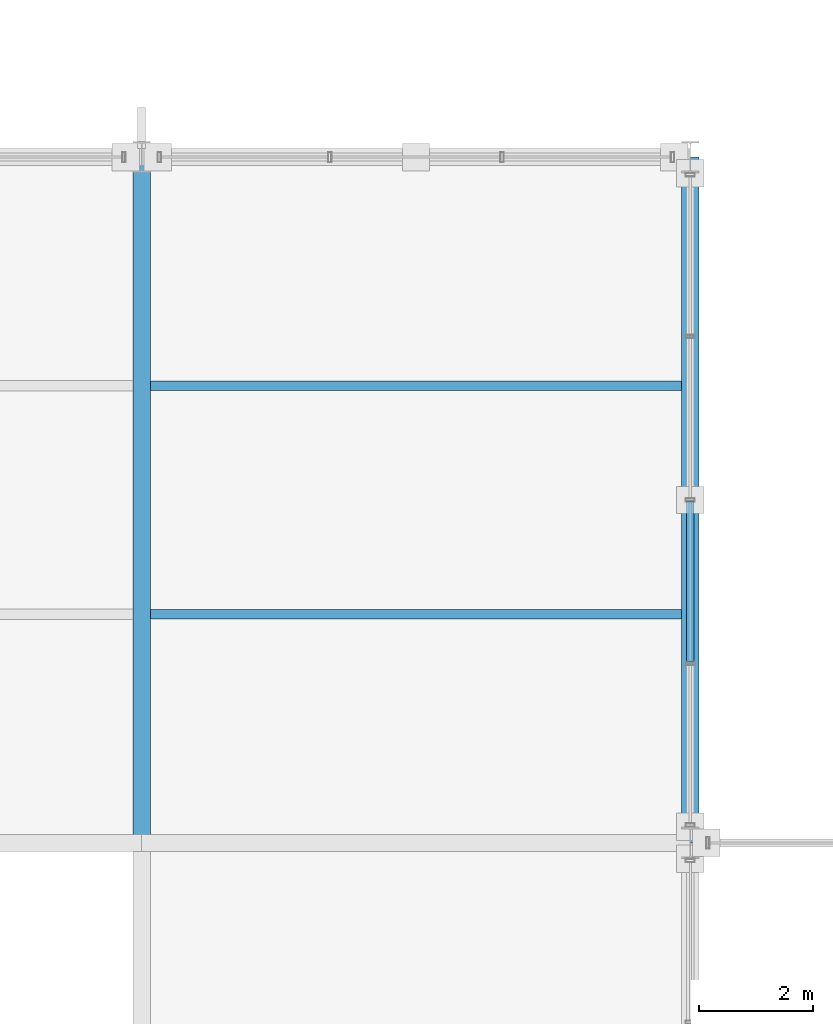
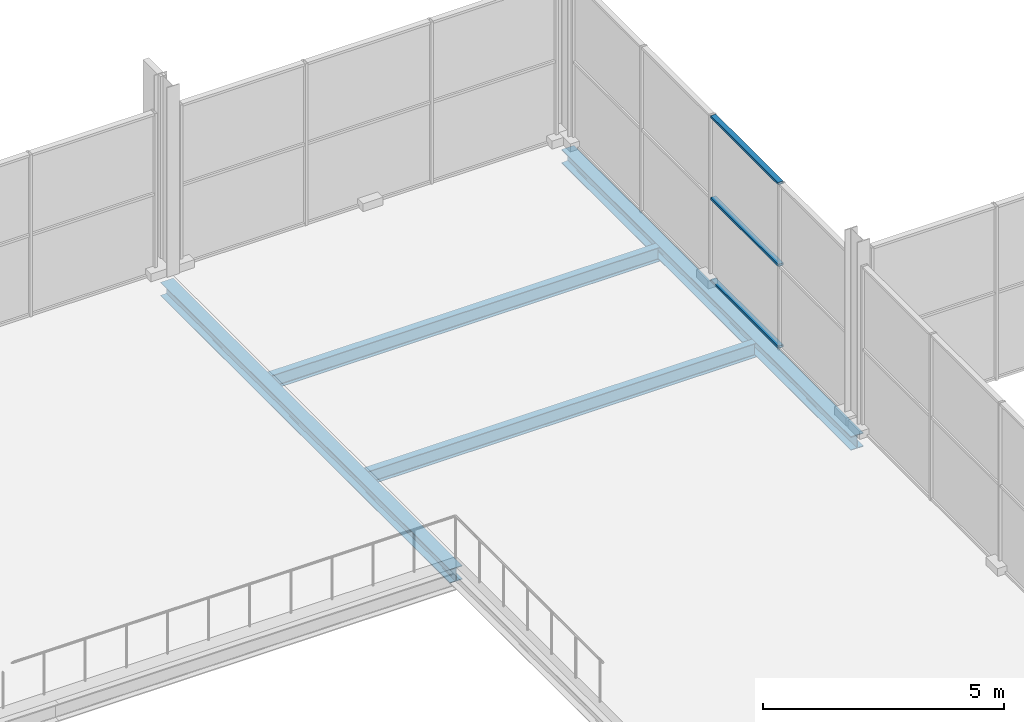
# One storey, part 85 of 159: 4 beams, 3 members, 1 element without a shape of its own.
"""IFC4 building model written with IfcOpenShell, lengths in metres."""

from ifc_helpers import new_model, si_unit, direction, frame, origin, origin_2d, place, context, subcontext, project, spatial, hollow_rectangle, i_section, extrude, material, material_profile, profile_set, type_object, element, aggregate, save


model = new_model("IFC4")

# Units and contexts
model_context = context("Model", 3, precision=1e-05, world=origin(), true_north=direction((0.0, 1.0)))
body_context = subcontext(model_context, "Body", "Model", "MODEL_VIEW")
ifc_project = project(units=[si_unit("LENGTHUNIT", "METRE"), si_unit("AREAUNIT", "SQUARE_METRE"), si_unit("VOLUMEUNIT", "CUBIC_METRE"), si_unit("PLANEANGLEUNIT", "RADIAN"), si_unit("MASSUNIT", "GRAM", prefix="KILO")], contexts=[model_context])

# Site, building, storey
site_placement = place(None, origin())
site = spatial("IfcSite", under=ifc_project, at=site_placement, CompositionType="ELEMENT")
building_placement = place(site_placement, origin())
building = spatial("IfcBuilding", under=site, at=building_placement, Name="Merenkruunu Market Hall", CompositionType="ELEMENT")
storey_placement = place(building_placement, frame((0.0, 0.0, 5.39990234375)))
storey = spatial("IfcBuildingStorey", under=building, at=storey_placement, Name="L01", CompositionType="ELEMENT", Elevation=5.39990234375)

# Curtain wall, members
ifc_material_1 = material(Name="Powder-coated aluminium", Category="aluminium")
curtain_wall_type = type_object("IfcCurtainWallType", Name="Glazed Curtain Wall CW05", PredefinedType="USERDEFINED", material=ifc_material_1)
curtain_wall_placement = place(storey_placement, origin())
curtain_wall = element("IfcCurtainWall", 1, at=curtain_wall_placement, inside=storey, type_object=curtain_wall_type, Name="CW-L01-CWM01-137", ObjectType="GLAZED_FACADE", PredefinedType="USERDEFINED")
ifc_material_profile_1 = material_profile(ifc_material_1, hollow_rectangle(XDim=0.06005859375, YDim=0.125, WallThickness=0.00390625, at=origin_2d()), Name="ALU 60x125x4")
ifc_profile_set_1 = profile_set([ifc_material_profile_1], Name="Powder-coated aluminium")
member_type = type_object("IfcMemberType", Name="Curtain Wall Transom CWT01", PredefinedType="USERDEFINED", material=ifc_profile_set_1)
member_1_placement = place(storey_placement, frame((57.60009765625, 105.570068359375, 0.030029296875), z_axis=(0.0, -1.0, 0.0), x_axis=(0.0, 0.0, 1.0)))
member_1 = element("IfcMember", 2, at=member_1_placement, type_object=member_type, Name="CW05 transom 3.1", ObjectType="TRANSOM", PredefinedType="USERDEFINED", context=body_context, shape_type="SweptSolid", body=[
    extrude(hollow_rectangle(XDim=0.06005859375, YDim=0.125, WallThickness=0.00390625, at=origin_2d()), origin(), (0.0, 0.0, 1.0), 2.800048828125),
])
member_2_placement = place(storey_placement, frame((57.60009765625, 105.570068359375, 2.10009765625), z_axis=(0.0, -1.0, 0.0), x_axis=(0.0, 0.0, 1.0)))
member_2 = element("IfcMember", 3, at=member_2_placement, type_object=member_type, Name="CW05 transom 3.2", ObjectType="TRANSOM", PredefinedType="USERDEFINED", context=body_context, shape_type="SweptSolid", body=[
    extrude(hollow_rectangle(XDim=0.06005859375, YDim=0.125, WallThickness=0.00390625, at=origin_2d()), origin(), (0.0, 0.0, 1.0), 2.800048828125),
])
member_3_placement = place(storey_placement, frame((57.60009765625, 105.570068359375, 4.170166015625), z_axis=(0.0, -1.0, 0.0), x_axis=(0.0, 0.0, 1.0)))
member_3 = element("IfcMember", 4, at=member_3_placement, type_object=member_type, Name="CW05 transom 3.3", ObjectType="TRANSOM", PredefinedType="USERDEFINED", context=body_context, shape_type="SweptSolid", body=[
    extrude(hollow_rectangle(XDim=0.06005859375, YDim=0.125, WallThickness=0.00390625, at=origin_2d()), origin(), (0.0, 0.0, 1.0), 2.800048828125),
])
aggregate(curtain_wall, [member_1, member_2, member_3])

# Beams
ifc_material_2 = material(Name="Steel S355J2", Category="steel")
ifc_material_profile_2 = material_profile(ifc_material_2, i_section(OverallWidth=0.300048828125, OverallDepth=0.35009765625, WebThickness=0.010009765625, FlangeThickness=0.017578125, FilletRadius=0.027099609375, at=origin_2d()), Name="HEA 360")
ifc_profile_set_2 = profile_set([ifc_material_profile_2], Name="Steel S355J2")
beam_type_1 = type_object("IfcBeamType", Name="Primary Floor Girder B08", PredefinedType="BEAM", material=ifc_profile_set_2)
for number, where, z_axis, x_axis, name in (
    (5, (48.0, 99.60009765625, -0.454833984375), (0.0, 1.0, 0.0), (-1.0, 0.0, 0.0), "BM-L01-B08-0579"),
    (6, (57.60009765625, 99.60009765625, -0.454833984375), (0.0, 1.0, 0.0), (-1.0, 0.0, 0.0), "BM-L01-B08-0588"),
):
    element("IfcBeam", number, at=place(storey_placement, frame(where, z_axis=z_axis, x_axis=x_axis)), inside=storey, type_object=beam_type_1, Name=name, PredefinedType="BEAM", context=body_context, shape_type="SweptSolid", body=[
        extrude(i_section(OverallWidth=0.300048828125, OverallDepth=0.35009765625, WebThickness=0.010009765625, FlangeThickness=0.017578125, FilletRadius=0.027099609375, at=origin_2d()), origin(), (0.0, 0.0, 1.0), 12.0),
    ])
ifc_material_profile_3 = material_profile(ifc_material_2, i_section(OverallWidth=0.169921875, OverallDepth=0.360107421875, WebThickness=0.008056640625, FlangeThickness=0.0126953125, FilletRadius=0.01806640625, at=origin_2d()), Name="IPE 360")
ifc_profile_set_3 = profile_set([ifc_material_profile_3], Name="Steel S355J2")
beam_type_2 = type_object("IfcBeamType", Name="Secondary Floor Joist J03", PredefinedType="JOIST", material=ifc_profile_set_3)
for number, where, z_axis, x_axis, name in (
    (7, (48.153076171875, 103.60009765625, -0.4599609375), (1.0, 0.0, 0.0), (0.0, 1.0, 0.0), "BM-L01-J03-0674"),
    (8, (48.153076171875, 107.60009765625, -0.4599609375), (1.0, 0.0, 0.0), (0.0, 1.0, 0.0), "BM-L01-J03-0675"),
):
    element("IfcBeam", number, at=place(storey_placement, frame(where, z_axis=z_axis, x_axis=x_axis)), inside=storey, type_object=beam_type_2, Name=name, PredefinedType="JOIST", context=body_context, shape_type="SweptSolid", body=[
        extrude(i_section(OverallWidth=0.169921875, OverallDepth=0.360107421875, WebThickness=0.008056640625, FlangeThickness=0.0126953125, FilletRadius=0.01806640625, at=origin_2d()), origin(), (0.0, 0.0, 1.0), 9.2939453125),
    ])

save(model, "model.ifc")
